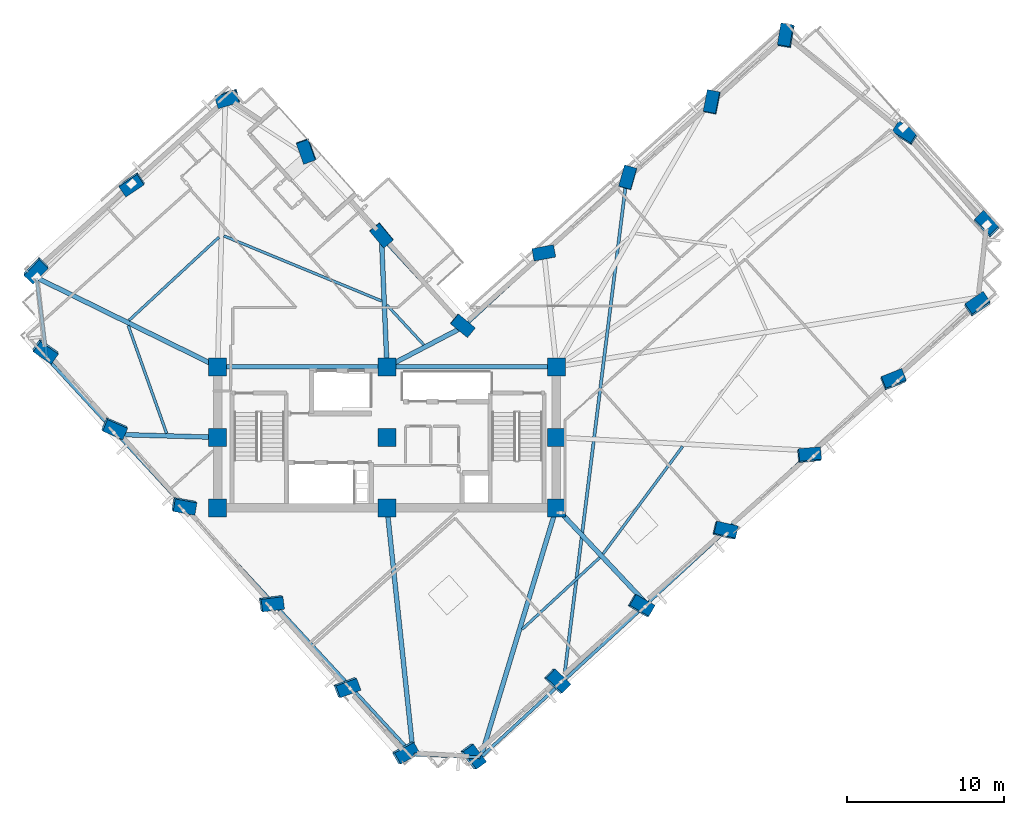
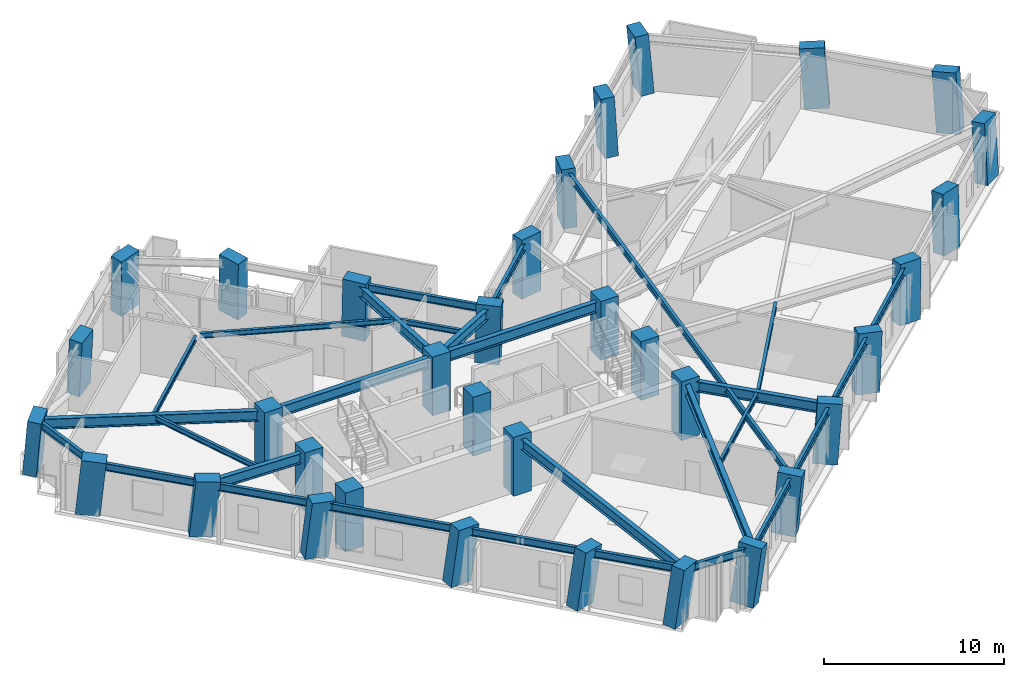
# One storey, part 1 of 14: 34 columns, 29 beams.
"""IFC4 building model written with IfcOpenShell, lengths in metres."""

from ifc_helpers import new_model, si_unit, direction, frame, origin, origin_2d, place, context, subcontext, project, spatial, rectangle, i_section, extrude, material, material_profile, profile_set, type_object, element, save


model = new_model("IFC4")

# Units and contexts
model_context = context("Model", 3, precision=1e-05, world=origin(), true_north=direction((0.0, 1.0)))
body_context = subcontext(model_context, "Body", "Model", "MODEL_VIEW")
ifc_project = project(units=[si_unit("LENGTHUNIT", "METRE"), si_unit("AREAUNIT", "SQUARE_METRE"), si_unit("VOLUMEUNIT", "CUBIC_METRE"), si_unit("PLANEANGLEUNIT", "RADIAN"), si_unit("MASSUNIT", "GRAM", prefix="KILO")], contexts=[model_context])

# Site, building, storey
site_placement = place(None, origin())
site = spatial("IfcSite", under=ifc_project, at=site_placement, CompositionType="ELEMENT")
building_placement = place(site_placement, origin())
building = spatial("IfcBuilding", under=site, at=building_placement, Name="Gaonmaruhae Medical Tower", CompositionType="ELEMENT")
storey_placement = place(building_placement, frame((0.0, 0.0, 201.800048828125)))
storey = spatial("IfcBuildingStorey", under=building, at=storey_placement, Name="L48", CompositionType="ELEMENT", Elevation=201.800048828125)

# Columns
ifc_material_1 = material(Name="Concrete C50/60", Category="concrete")
ifc_material_profile_1 = material_profile(ifc_material_1, rectangle(XDim=1.14990234375, YDim=1.14990234375, at=origin_2d()), Name="RC-1150x1150")
ifc_profile_set_1 = profile_set([ifc_material_profile_1], Name="Concrete C50/60")
column_type_1 = type_object("IfcColumnType", Name="CC-04 Zone 3 Core Column (RC-1150x1150)", PredefinedType="COLUMN", material=ifc_profile_set_1)
for number, where, z_axis, x_axis, name in (
    (1, (14.0, 7.800048828125, 0.0), (0.0, 0.0, 1.0), (1.0, 0.0, 0.0), "L48 Plumb Core Column CC11"),
    (2, (14.0, 12.300048828125, 0.0), (0.0, 0.0, 1.0), (1.0, 0.0, 0.0), "L48 Plumb Core Column CC12"),
    (3, (14.0, 16.800048828125, 0.0), (0.0, 0.0, 1.0), (1.0, 0.0, 0.0), "L48 Plumb Core Column CC13"),
    (4, (24.800048828125, 7.800048828125, 0.0), (0.0, 0.0, 1.0), (1.0, 0.0, 0.0), "L48 Plumb Core Column CC21"),
    (5, (24.800048828125, 12.300048828125, 0.0), (0.0, 0.0, 1.0), (1.0, 0.0, 0.0), "L48 Plumb Core Column CC22"),
    (6, (24.800048828125, 16.800048828125, 0.0), (0.0, 0.0, 1.0), (1.0, 0.0, 0.0), "L48 Plumb Core Column CC23"),
    (7, (35.60009765625, 7.800048828125, 0.0), (0.0, 0.0, 1.0), (1.0, 0.0, 0.0), "L48 Plumb Core Column CC31"),
    (8, (35.60009765625, 12.300048828125, 0.0), (0.0, 0.0, 1.0), (1.0, 0.0, 0.0), "L48 Plumb Core Column CC32"),
    (9, (35.60009765625, 16.800048828125, 0.0), (0.0, 0.0, 1.0), (1.0, 0.0, 0.0), "L48 Plumb Core Column CC33"),
):
    element("IfcColumn", number, at=place(storey_placement, frame(where, z_axis=z_axis, x_axis=x_axis)), inside=storey, type_object=column_type_1, Name=name, PredefinedType="COLUMN", context=body_context, shape_type="SweptSolid", body=[
        extrude(rectangle(XDim=1.14990234375, YDim=1.14990234375, at=origin_2d()), origin(), (0.0, 0.0, 1.0), 4.0),
    ])
ifc_material_2 = material(Name="Concrete C60/75", Category="concrete")
ifc_material_profile_2 = material_profile(ifc_material_2, rectangle(XDim=1.39990234375, YDim=0.800048828125, at=origin_2d()), Name="RC-1400x800")
ifc_profile_set_2 = profile_set([ifc_material_profile_2], Name="Concrete C60/75")
column_type_2 = type_object("IfcColumnType", Name="TC-02 Mid Raking Tube Pier Column (RC-1400x800)", PredefinedType="COLUMN", material=ifc_profile_set_2)
column_1_placement = place(storey_placement, frame((30.240966796875, -8.05029296875, 0.001708984375), z_axis=(0.135046878909, -0.012678123929, 0.990758096445), x_axis=(-0.587803006179, 0.803936473515, 0.090408918142)))
element("IfcColumn", 10, at=column_1_placement, inside=storey, type_object=column_type_2, Name="L48 Perimeter Tube Column S01", PredefinedType="COLUMN", context=body_context, shape_type="SweptSolid", body=[
    extrude(rectangle(XDim=1.39990234375, YDim=0.800048828125, at=origin_2d()), origin(), (0.0, 0.0, 1.0), 3.928466796875),
])
column_2_placement = place(storey_placement, frame((35.6083984375, -3.251220703125, 0.001708984375), z_axis=(0.115438955532, 0.009247529234, 0.993271529215), x_axis=(-0.719461187458, 0.690229858338, 0.077190299911)))
element("IfcColumn", 11, at=column_2_placement, inside=storey, type_object=column_type_2, Name="L48 Perimeter Tube Column S02", PredefinedType="COLUMN", context=body_context, shape_type="SweptSolid", body=[
    extrude(rectangle(XDim=1.39990234375, YDim=0.800048828125, at=origin_2d()), origin(), (0.0, 0.0, 1.0), 3.93359375),
])
column_3_placement = place(storey_placement, frame((40.975830078125, 1.5478515625, 0.001708984375), z_axis=(0.095643247872, 0.031240568326, 0.994925321834), x_axis=(-0.861839188947, 0.502728200991, 0.067063912233)))
element("IfcColumn", 12, at=column_3_placement, inside=storey, type_object=column_type_2, Name="L48 Perimeter Tube Column S03", PredefinedType="COLUMN", context=body_context, shape_type="SweptSolid", body=[
    extrude(rectangle(XDim=1.39990234375, YDim=0.800048828125, at=origin_2d()), origin(), (0.0, 0.0, 1.0), 3.938720703125),
])
column_4_placement = place(storey_placement, frame((46.34326171875, 6.346923828125, 0.001708984375), z_axis=(0.075683001487, 0.053262996137, 0.995708359174), x_axis=(-0.971780935986, 0.227676829766, 0.061685278981)))
element("IfcColumn", 13, at=column_4_placement, inside=storey, type_object=column_type_2, Name="L48 Perimeter Tube Column S04", PredefinedType="COLUMN", context=body_context, shape_type="SweptSolid", body=[
    extrude(rectangle(XDim=1.39990234375, YDim=0.800048828125, at=origin_2d()), origin(), (0.0, 0.0, 1.0), 3.94189453125),
])
column_5_placement = place(storey_placement, frame((51.71044921875, 11.14599609375, 0.001708984375), z_axis=(0.055748651808, 0.075198736995, 0.995608978352), x_axis=(-0.994064185583, -0.089125763404, 0.06239385577)))
element("IfcColumn", 14, at=column_5_placement, inside=storey, type_object=column_type_2, Name="L48 Perimeter Tube Column S05", PredefinedType="COLUMN", context=body_context, shape_type="SweptSolid", body=[
    extrude(rectangle(XDim=1.39990234375, YDim=0.800048828125, at=origin_2d()), origin(), (0.0, 0.0, 1.0), 3.94140625),
])
column_6_placement = place(storey_placement, frame((57.077880859375, 15.945068359375, 0.001708984375), z_axis=(0.035710881286, 0.097088958495, 0.994634841083), x_axis=(-0.928505606296, -0.364860270306, 0.068951593376)))
element("IfcColumn", 15, at=column_6_placement, inside=storey, type_object=column_type_2, Name="L48 Perimeter Tube Column S06", PredefinedType="COLUMN", context=body_context, shape_type="SweptSolid", body=[
    extrude(rectangle(XDim=1.39990234375, YDim=0.800048828125, at=origin_2d()), origin(), (0.0, 0.0, 1.0), 3.93798828125),
])
column_7_placement = place(storey_placement, frame((62.4453125, 20.744140625, 0.001708984375), z_axis=(0.015707334177, 0.118829397689, 0.992790438057), x_axis=(-0.825762803274, -0.55833051582, 0.07989260187)))
element("IfcColumn", 16, at=column_7_placement, inside=storey, type_object=column_type_2, Name="L48 Perimeter Tube Column S07", PredefinedType="COLUMN", context=body_context, shape_type="SweptSolid", body=[
    extrude(rectangle(XDim=1.39990234375, YDim=0.800048828125, at=origin_2d()), origin(), (0.0, 0.0, 1.0), 3.932373046875),
])
column_8_placement = place(storey_placement, frame((63.049072265625, 25.844970703125, 0.001708984375), z_axis=(-0.005281577236, 0.121103459221, 0.992625839431), x_axis=(0.698140881378, -0.71023473531, 0.090365538281)))
element("IfcColumn", 17, at=column_8_placement, inside=storey, type_object=column_type_2, Name="L48 Perimeter Tube Column E01", PredefinedType="COLUMN", context=body_context, shape_type="SweptSolid", body=[
    extrude(rectangle(XDim=1.39990234375, YDim=0.800048828125, at=origin_2d()), origin(), (0.0, 0.0, 1.0), 3.92919921875),
])
column_9_placement = place(storey_placement, frame((57.85009765625, 31.65966796875, 0.001708984375), z_axis=(-0.029097597923, 0.099701151094, 0.994591881259), x_axis=(0.847563422999, -0.525015754062, 0.077425460805)))
element("IfcColumn", 18, at=column_9_placement, inside=storey, type_object=column_type_2, Name="L48 Perimeter Tube Column E02", PredefinedType="COLUMN", context=body_context, shape_type="SweptSolid", body=[
    extrude(rectangle(XDim=1.39990234375, YDim=0.800048828125, at=origin_2d()), origin(), (0.0, 0.0, 1.0), 3.93505859375),
])
column_10_placement = place(storey_placement, frame((50.2666015625, 37.890869140625, 0.001708984375), z_axis=(-0.054661231056, 0.068403918818, 0.996159150794), x_axis=(-0.167881968928, -0.984077987012, 0.058362316498)))
element("IfcColumn", 19, at=column_10_placement, inside=storey, type_object=column_type_2, Name="L48 Perimeter Tube Column E03", PredefinedType="COLUMN", context=body_context, shape_type="SweptSolid", body=[
    extrude(rectangle(XDim=1.39990234375, YDim=0.800048828125, at=origin_2d()), origin(), (0.0, 0.0, 1.0), 3.94384765625),
])
column_11_placement = place(storey_placement, frame((45.53271484375, 33.658447265625, 0.001708984375), z_axis=(-0.037026435921, 0.049060027595, 0.998109290977), x_axis=(-0.19426625629, -0.980092983401, 0.040967860024)))
element("IfcColumn", 20, at=column_11_placement, inside=storey, type_object=column_type_2, Name="L48 Perimeter Tube Column EN01", PredefinedType="COLUMN", context=body_context, shape_type="SweptSolid", body=[
    extrude(rectangle(XDim=1.39990234375, YDim=0.800048828125, at=origin_2d()), origin(), (0.0, 0.0, 1.0), 3.956298828125),
])
column_12_placement = place(storey_placement, frame((40.165283203125, 28.859375, 0.001708984375), z_axis=(-0.017020693495, 0.027036480641, 0.999489532065), x_axis=(-0.275948140466, -0.960936612332, 0.021294385498)))
element("IfcColumn", 21, at=column_12_placement, inside=storey, type_object=column_type_2, Name="L48 Perimeter Tube Column EN02", PredefinedType="COLUMN", context=body_context, shape_type="SweptSolid", body=[
    extrude(rectangle(XDim=1.39990234375, YDim=0.800048828125, at=origin_2d()), origin(), (0.0, 0.0, 1.0), 3.97314453125),
])
column_13_placement = place(storey_placement, frame((34.798095703125, 24.060302734375, 0.001708984375), z_axis=(0.002997258286, 0.004954651452, 0.999983233795), x_axis=(-0.982837456403, -0.184433286373, 0.003859685072)))
element("IfcColumn", 22, at=column_13_placement, inside=storey, type_object=column_type_2, Name="L48 Perimeter Tube Column EN03", PredefinedType="COLUMN", context=body_context, shape_type="SweptSolid", body=[
    extrude(rectangle(XDim=1.39990234375, YDim=0.800048828125, at=origin_2d()), origin(), (0.0, 0.0, 1.0), 3.9912109375),
])
column_14_placement = place(storey_placement, frame((29.616943359375, 19.427734375, 0.001708984375), z_axis=(0.022404649065, -0.016327771648, 0.999615643922), x_axis=(-0.773714259991, 0.632929754663, 0.027679767862)))
element("IfcColumn", 23, at=column_14_placement, inside=storey, type_object=column_type_2, Name="L48 Perimeter Tube Column KN01", PredefinedType="COLUMN", context=body_context, shape_type="SweptSolid", body=[
    extrude(rectangle(XDim=1.39990234375, YDim=0.800048828125, at=origin_2d()), origin(), (0.0, 0.0, 1.0), 3.977294921875),
])
column_15_placement = place(storey_placement, frame((24.451416015625, 25.205078125, 0.001708984375), z_axis=(-0.001414889016, -0.037894418868, 0.999280746891), x_axis=(-0.63827340517, 0.769290530465, 0.028269064174)))
element("IfcColumn", 24, at=column_15_placement, inside=storey, type_object=column_type_2, Name="L48 Perimeter Tube Column NE01", PredefinedType="COLUMN", context=body_context, shape_type="SweptSolid", body=[
    extrude(rectangle(XDim=1.39990234375, YDim=0.800048828125, at=origin_2d()), origin(), (0.0, 0.0, 1.0), 3.96875),
])
column_16_placement = place(storey_placement, frame((19.65234375, 30.572509765625, 0.001708984375), z_axis=(-0.023400018173, -0.057851759968, 0.998050907027), x_axis=(-0.338913817556, 0.939666525529, 0.046521447421)))
element("IfcColumn", 25, at=column_16_placement, inside=storey, type_object=column_type_2, Name="L48 Perimeter Tube Column NE02", PredefinedType="COLUMN", context=body_context, shape_type="SweptSolid", body=[
    extrude(rectangle(XDim=1.39990234375, YDim=0.800048828125, at=origin_2d()), origin(), (0.0, 0.0, 1.0), 3.954345703125),
])
column_17_placement = place(storey_placement, frame((14.634765625, 33.933837890625, 0.001708984375), z_axis=(-0.037077983422, -0.078612752832, 0.996215467777), x_axis=(0.957500793087, 0.282552508139, 0.057933680899)))
element("IfcColumn", 26, at=column_17_placement, inside=storey, type_object=column_type_2, Name="L48 Perimeter Tube Column N01", PredefinedType="COLUMN", context=body_context, shape_type="SweptSolid", body=[
    extrude(rectangle(XDim=1.39990234375, YDim=0.800048828125, at=origin_2d()), origin(), (0.0, 0.0, 1.0), 3.944091796875),
])
column_18_placement = place(storey_placement, frame((8.52197265625, 28.46826171875, 0.001708984375), z_axis=(-0.014261490133, -0.103550819662, 0.994521914111), x_axis=(0.828946191978, 0.554972155566, 0.069671495975)))
element("IfcColumn", 27, at=column_18_placement, inside=storey, type_object=column_type_2, Name="L48 Perimeter Tube Column N02", PredefinedType="COLUMN", context=body_context, shape_type="SweptSolid", body=[
    extrude(rectangle(XDim=1.39990234375, YDim=0.800048828125, at=origin_2d()), origin(), (0.0, 0.0, 1.0), 3.937255859375),
])
column_19_placement = place(storey_placement, frame((2.4091796875, 23.00244140625, 0.001708984375), z_axis=(0.008448677757, -0.12809686423, 0.991725674377), x_axis=(0.700356684068, 0.70864584674, 0.085566225692)))
element("IfcColumn", 28, at=column_19_placement, inside=storey, type_object=column_type_2, Name="L48 Perimeter Tube Column N03", PredefinedType="COLUMN", context=body_context, shape_type="SweptSolid", body=[
    extrude(rectangle(XDim=1.39990234375, YDim=0.800048828125, at=origin_2d()), origin(), (0.0, 0.0, 1.0), 3.929931640625),
])
column_20_placement = place(storey_placement, frame((3.00537109375, 17.834716796875, 0.001708984375), z_axis=(0.029718269522, -0.12552549407, 0.991645185939), x_axis=(-0.81891246966, 0.565804774334, 0.096163009397)))
element("IfcColumn", 29, at=column_20_placement, inside=storey, type_object=column_type_2, Name="L48 Perimeter Tube Column W01", PredefinedType="COLUMN", context=body_context, shape_type="SweptSolid", body=[
    extrude(rectangle(XDim=1.39990234375, YDim=0.800048828125, at=origin_2d()), origin(), (0.0, 0.0, 1.0), 3.9267578125),
])
column_21_placement = place(storey_placement, frame((7.404541015625, 12.91455078125, 0.001708984375), z_axis=(0.049822228101, -0.107409766069, 0.992965703204), x_axis=(-0.916131526113, 0.391039797202, 0.088266096928)))
element("IfcColumn", 30, at=column_21_placement, inside=storey, type_object=column_type_2, Name="L48 Perimeter Tube Column W02", PredefinedType="COLUMN", context=body_context, shape_type="SweptSolid", body=[
    extrude(rectangle(XDim=1.39990234375, YDim=0.800048828125, at=origin_2d()), origin(), (0.0, 0.0, 1.0), 3.929931640625),
])
column_22_placement = place(storey_placement, frame((11.837158203125, 7.957275390625, 0.001708984375), z_axis=(0.070103537443, -0.089042048444, 0.993557752547), x_axis=(-0.98187826261, 0.169640160093, 0.084482504097)))
element("IfcColumn", 31, at=column_22_placement, inside=storey, type_object=column_type_2, Name="L48 Perimeter Tube Column W03", PredefinedType="COLUMN", context=body_context, shape_type="SweptSolid", body=[
    extrude(rectangle(XDim=1.39990234375, YDim=0.800048828125, at=origin_2d()), origin(), (0.0, 0.0, 1.0), 3.931884765625),
])
column_23_placement = place(storey_placement, frame((17.402587890625, 1.732421875, 0.001708984375), z_axis=(0.095523301765, -0.065897414287, 0.993243590269), x_axis=(-0.987969051295, -0.128191196802, 0.086511101869)))
element("IfcColumn", 32, at=column_23_placement, inside=storey, type_object=column_type_2, Name="L48 Perimeter Tube Column W04", PredefinedType="COLUMN", context=body_context, shape_type="SweptSolid", body=[
    extrude(rectangle(XDim=1.39990234375, YDim=0.800048828125, at=origin_2d()), origin(), (0.0, 0.0, 1.0), 3.930908203125),
])
column_24_placement = place(storey_placement, frame((22.20166015625, -3.634765625, 0.001708984375), z_axis=(0.117352618249, -0.045934102164, 0.992027429686), x_axis=(-0.931603493777, -0.351125319074, 0.093946477785)))
element("IfcColumn", 33, at=column_24_placement, inside=storey, type_object=column_type_2, Name="L48 Perimeter Tube Column W05", PredefinedType="COLUMN", context=body_context, shape_type="SweptSolid", body=[
    extrude(rectangle(XDim=1.39990234375, YDim=0.800048828125, at=origin_2d()), origin(), (0.0, 0.0, 1.0), 3.927734375),
])
column_25_placement = place(storey_placement, frame((25.934326171875, -7.8095703125, 0.001708984375), z_axis=(0.134123657922, -0.03035823055, 0.990499481183), x_axis=(-0.867320120298, -0.487079498577, 0.102515223217)))
element("IfcColumn", 34, at=column_25_placement, inside=storey, type_object=column_type_2, Name="L48 Perimeter Tube Column W06", PredefinedType="COLUMN", context=body_context, shape_type="SweptSolid", body=[
    extrude(rectangle(XDim=1.39990234375, YDim=0.800048828125, at=origin_2d()), origin(), (0.0, 0.0, 1.0), 3.924560546875),
])

# Beams
ifc_material_3 = material(Name="Steel SM355", Category="steel")
ifc_material_profile_3 = material_profile(ifc_material_3, i_section(OverallWidth=0.175048828125, OverallDepth=0.35009765625, WebThickness=0.007080078125, FlangeThickness=0.010986328125, FilletRadius=0.012939453125, at=origin_2d()), Name="H-350x175x7x11")
ifc_profile_set_3 = profile_set([ifc_material_profile_3], Name="Steel SM355")
beam_type_1 = type_object("IfcBeamType", Name="FJ-02 Upper Zone Ward Floor Joist (H-350x175x7x11)", PredefinedType="JOIST", material=ifc_profile_set_3)
beam_1_placement = place(storey_placement, frame((33.4150390625, 0.054443359375, 3.52490234375), z_axis=(0.734302039307, 0.678822889323, 0.0), x_axis=(-0.678822889323, 0.734302039307, 0.0)))
element("IfcBeam", 35, at=beam_1_placement, inside=storey, type_object=beam_type_1, Name="L48 Secondary Floor Joist FJ01", PredefinedType="JOIST", context=body_context, shape_type="SweptSolid", body=[
    extrude(i_section(OverallWidth=0.175048828125, OverallDepth=0.35009765625, WebThickness=0.007080078125, FlangeThickness=0.010986328125, FilletRadius=0.012939453125, at=origin_2d()), origin(), (0.0, 0.0, 1.0), 6.74169921875),
])
beam_2_placement = place(storey_placement, frame((38.57421875, 4.864013671875, 3.52490234375), z_axis=(0.595254220037, 0.80353743754, 0.0), x_axis=(-0.80353743754, 0.595254220037, 0.0)))
element("IfcBeam", 36, at=beam_2_placement, inside=storey, type_object=beam_type_1, Name="L48 Secondary Floor Joist FJ02", PredefinedType="JOIST", context=body_context, shape_type="SweptSolid", body=[
    extrude(i_section(OverallWidth=0.175048828125, OverallDepth=0.35009765625, WebThickness=0.007080078125, FlangeThickness=0.010986328125, FilletRadius=0.012939453125, at=origin_2d()), origin(), (0.0, 0.0, 1.0), 8.5380859375),
])
beam_3_placement = place(storey_placement, frame((27.143798828125, 18.19970703125, 3.52490234375), z_axis=(-0.678816721668, 0.734307740926, 0.0), x_axis=(-0.734307740926, -0.678816721668, 0.0)))
element("IfcBeam", 37, at=beam_3_placement, inside=storey, type_object=beam_type_1, Name="L48 Secondary Floor Joist FJ08", PredefinedType="JOIST", context=body_context, shape_type="SweptSolid", body=[
    extrude(i_section(OverallWidth=0.175048828125, OverallDepth=0.35009765625, WebThickness=0.007080078125, FlangeThickness=0.010986328125, FilletRadius=0.012939453125, at=origin_2d()), origin(), (0.0, 0.0, 1.0), 3.475830078125),
])
beam_4_placement = place(storey_placement, frame((24.464599609375, 20.9921875, 3.52490234375), z_axis=(-0.924420227244, 0.381375462585, 0.0), x_axis=(-0.381375462585, -0.924420227244, 0.0)))
element("IfcBeam", 38, at=beam_4_placement, inside=storey, type_object=beam_type_1, Name="L48 Secondary Floor Joist FJ09", PredefinedType="JOIST", context=body_context, shape_type="SweptSolid", body=[
    extrude(i_section(OverallWidth=0.175048828125, OverallDepth=0.35009765625, WebThickness=0.007080078125, FlangeThickness=0.010986328125, FilletRadius=0.012939453125, at=origin_2d()), origin(), (0.0, 0.0, 1.0), 10.89111328125),
])
beam_5_placement = place(storey_placement, frame((14.08447265625, 25.0625, 3.52490234375), z_axis=(-0.734325523706, -0.6787974847, 0.0), x_axis=(0.6787974847, -0.734325523706, 0.0)))
element("IfcBeam", 39, at=beam_5_placement, inside=storey, type_object=beam_type_1, Name="L48 Secondary Floor Joist FJ10", PredefinedType="JOIST", context=body_context, shape_type="SweptSolid", body=[
    extrude(i_section(OverallWidth=0.175048828125, OverallDepth=0.35009765625, WebThickness=0.007080078125, FlangeThickness=0.010986328125, FilletRadius=0.012939453125, at=origin_2d()), origin(), (0.0, 0.0, 1.0), 7.8173828125),
])
beam_6_placement = place(storey_placement, frame((8.295654296875, 19.4345703125, 3.52490234375), z_axis=(0.335312103948, -0.942107102694, 0.0), x_axis=(0.942107102694, 0.335312103948, 0.0)))
element("IfcBeam", 40, at=beam_6_placement, inside=storey, type_object=beam_type_1, Name="L48 Secondary Floor Joist FJ11", PredefinedType="JOIST", context=body_context, shape_type="SweptSolid", body=[
    extrude(i_section(OverallWidth=0.175048828125, OverallDepth=0.35009765625, WebThickness=0.007080078125, FlangeThickness=0.010986328125, FilletRadius=0.012939453125, at=origin_2d()), origin(), (0.0, 0.0, 1.0), 7.309326171875),
])
ifc_material_4 = material(Name="Steel SM420", Category="steel")
ifc_material_profile_4 = material_profile(ifc_material_4, i_section(OverallWidth=0.300048828125, OverallDepth=0.699951171875, WebThickness=0.012939453125, FlangeThickness=0.02392578125, FilletRadius=0.01806640625, at=origin_2d()), Name="H-700x300x13x24")
ifc_profile_set_4 = profile_set([ifc_material_profile_4], Name="Steel SM420")
beam_type_2 = type_object("IfcBeamType", Name="PG-03 Zone 3 Radial Floor Girder (H-700x300x13x24)", PredefinedType="BEAM", material=ifc_profile_set_4)
for number, where, z_axis, x_axis, name in (
    (41, (14.050048828125, 16.800048828125, 3.349853515625), (1.0, 0.0, 0.0), (0.0, 1.0, 0.0), "L48 Beam BM-L48-CG-N1"),
    (42, (24.85009765625, 16.800048828125, 3.349853515625), (1.0, 0.0, 0.0), (0.0, 1.0, 0.0), "L48 Beam BM-L48-CG-N2"),
):
    element("IfcBeam", number, at=place(storey_placement, frame(where, z_axis=z_axis, x_axis=x_axis)), inside=storey, type_object=beam_type_2, Name=name, PredefinedType="BEAM", context=body_context, shape_type="SweptSolid", body=[
        extrude(i_section(OverallWidth=0.300048828125, OverallDepth=0.699951171875, WebThickness=0.012939453125, FlangeThickness=0.02392578125, FilletRadius=0.01806640625, at=origin_2d()), origin(), (0.0, 0.0, 1.0), 10.699951171875),
    ])
beam_7_placement = place(storey_placement, frame((35.58544921875, 7.752197265625, 3.349853515625), z_axis=(-0.289761197341, -0.957098975298, 0.0), x_axis=(0.957098975298, -0.289761197341, 0.0)))
element("IfcBeam", 43, at=beam_7_placement, inside=storey, type_object=beam_type_2, Name="L48 Radial Primary Girder S01", PredefinedType="BEAM", context=body_context, shape_type="SweptSolid", body=[
    extrude(i_section(OverallWidth=0.300048828125, OverallDepth=0.699951171875, WebThickness=0.012939453125, FlangeThickness=0.02392578125, FilletRadius=0.01806640625, at=origin_2d()), origin(), (0.0, 0.0, 1.0), 16.51416015625),
])
beam_8_placement = place(storey_placement, frame((35.63427734375, 7.763671875, 3.349853515625), z_axis=(0.684969592969, -0.728571655164, 0.0), x_axis=(0.728571655164, 0.684969592969, 0.0)))
element("IfcBeam", 44, at=beam_8_placement, inside=storey, type_object=beam_type_2, Name="L48 Radial Primary Girder S03", PredefinedType="BEAM", context=body_context, shape_type="SweptSolid", body=[
    extrude(i_section(OverallWidth=0.300048828125, OverallDepth=0.699951171875, WebThickness=0.012939453125, FlangeThickness=0.02392578125, FilletRadius=0.01806640625, at=origin_2d()), origin(), (0.0, 0.0, 1.0), 8.309326171875),
])
beam_9_placement = place(storey_placement, frame((24.84423828125, 16.8232421875, 3.349853515625), z_axis=(0.886410192644, 0.462900605289, 0.0), x_axis=(-0.462900605289, 0.886410192644, 0.0)))
element("IfcBeam", 45, at=beam_9_placement, inside=storey, type_object=beam_type_2, Name="L48 Radial Primary Girder KN01", PredefinedType="BEAM", context=body_context, shape_type="SweptSolid", body=[
    extrude(i_section(OverallWidth=0.300048828125, OverallDepth=0.699951171875, WebThickness=0.012939453125, FlangeThickness=0.02392578125, FilletRadius=0.01806640625, at=origin_2d()), origin(), (0.0, 0.0, 1.0), 5.435546875),
])
beam_10_placement = place(storey_placement, frame((24.7978515625, 16.849853515625, 3.349853515625), z_axis=(-0.042867319872, 0.999080773955, 0.0), x_axis=(-0.999080773955, -0.042867319872, 0.0)))
element("IfcBeam", 46, at=beam_10_placement, inside=storey, type_object=beam_type_2, Name="L48 Radial Primary Girder NE01", PredefinedType="BEAM", context=body_context, shape_type="SweptSolid", body=[
    extrude(i_section(OverallWidth=0.300048828125, OverallDepth=0.699951171875, WebThickness=0.012939453125, FlangeThickness=0.02392578125, FilletRadius=0.01806640625, at=origin_2d()), origin(), (0.0, 0.0, 1.0), 8.161376953125),
])
beam_11_placement = place(storey_placement, frame((13.955078125, 16.822021484375, 3.349853515625), z_axis=(-0.897278145118, 0.441465661511, 0.0), x_axis=(-0.441465661511, -0.897278145118, 0.0)))
element("IfcBeam", 47, at=beam_11_placement, inside=storey, type_object=beam_type_2, Name="L48 Radial Primary Girder N03", PredefinedType="BEAM", context=body_context, shape_type="SweptSolid", body=[
    extrude(i_section(OverallWidth=0.300048828125, OverallDepth=0.699951171875, WebThickness=0.012939453125, FlangeThickness=0.02392578125, FilletRadius=0.01806640625, at=origin_2d()), origin(), (0.0, 0.0, 1.0), 12.77978515625),
])
beam_12_placement = place(storey_placement, frame((13.949951171875, 12.301513671875, 3.349853515625), z_axis=(-0.999595053474, 0.028455738801, 0.0), x_axis=(-0.028455738801, -0.999595053474, 0.0)))
element("IfcBeam", 48, at=beam_12_placement, inside=storey, type_object=beam_type_2, Name="L48 Radial Primary Girder W02", PredefinedType="BEAM", context=body_context, shape_type="SweptSolid", body=[
    extrude(i_section(OverallWidth=0.300048828125, OverallDepth=0.699951171875, WebThickness=0.012939453125, FlangeThickness=0.02392578125, FilletRadius=0.01806640625, at=origin_2d()), origin(), (0.0, 0.0, 1.0), 6.29736328125),
])
beam_13_placement = place(storey_placement, frame((24.80517578125, 7.750244140625, 3.349853515625), z_axis=(0.105927196046, -0.994373888001, 0.0), x_axis=(0.994373888001, 0.105927196046, 0.0)))
element("IfcBeam", 49, at=beam_13_placement, inside=storey, type_object=beam_type_2, Name="L48 Radial Primary Girder W06", PredefinedType="BEAM", context=body_context, shape_type="SweptSolid", body=[
    extrude(i_section(OverallWidth=0.300048828125, OverallDepth=0.699951171875, WebThickness=0.012939453125, FlangeThickness=0.02392578125, FilletRadius=0.01806640625, at=origin_2d()), origin(), (0.0, 0.0, 1.0), 15.720947265625),
])
ifc_material_profile_5 = material_profile(ifc_material_3, i_section(OverallWidth=0.199951171875, OverallDepth=0.5, WebThickness=0.010009765625, FlangeThickness=0.01611328125, FilletRadius=0.012939453125, at=origin_2d()), Name="H-500x200x10x16")
ifc_profile_set_5 = profile_set([ifc_material_profile_5], Name="Steel SM355")
beam_type_3 = type_object("IfcBeamType", Name="SP-02 Upper Perimeter Spandrel Beam (H-500x200x10x16)", PredefinedType="SPANDREL", material=ifc_profile_set_5)
for number, where, z_axis, x_axis, name in (
    (50, (30.815185546875, -8.07421875, 3.449951171875), (0.734335272861, 0.678786937876, 0.0), (-0.678786937876, 0.734335272861, 0.0), "L48 Perimeter Spandrel Beam S01-S02"),
    (51, (36.102294921875, -3.18701171875, 3.449951171875), (0.73431818138, 0.678805427567, 0.0), (-0.678805427567, 0.73431818138, 0.0), "L48 Perimeter Spandrel Beam S02-S03"),
    (52, (41.389404296875, 1.700439453125, 3.449951171875), (0.734335272861, 0.678786937876, 0.0), (-0.678786937876, 0.734335272861, 0.0), "L48 Perimeter Spandrel Beam S03-S04"),
    (53, (46.676513671875, 6.587890625, 3.449951171875), (0.734335272861, 0.678786937876, 0.0), (-0.678786937876, 0.734335272861, 0.0), "L48 Perimeter Spandrel Beam S04-S05"),
):
    element("IfcBeam", number, at=place(storey_placement, frame(where, z_axis=z_axis, x_axis=x_axis)), inside=storey, type_object=beam_type_3, Name=name, PredefinedType="SPANDREL", context=body_context, shape_type="SweptSolid", body=[
        extrude(i_section(OverallWidth=0.199951171875, OverallDepth=0.5, WebThickness=0.010009765625, FlangeThickness=0.01611328125, FilletRadius=0.012939453125, at=origin_2d()), origin(), (0.0, 0.0, 1.0), 7.1201171875),
    ])
beam_14_placement = place(storey_placement, frame((34.78076171875, 24.052978515625, 3.449951171875), z_axis=(-0.734333228218, -0.678789149835, 0.0), x_axis=(0.678789149835, -0.734333228218, 0.0)))
element("IfcBeam", 54, at=beam_14_placement, inside=storey, type_object=beam_type_3, Name="L48 Perimeter Spandrel Beam EN03-KN01", PredefinedType="SPANDREL", context=body_context, shape_type="SweptSolid", body=[
    extrude(i_section(OverallWidth=0.199951171875, OverallDepth=0.5, WebThickness=0.010009765625, FlangeThickness=0.01611328125, FilletRadius=0.012939453125, at=origin_2d()), origin(), (0.0, 0.0, 1.0), 6.8701171875),
])
beam_15_placement = place(storey_placement, frame((29.679443359375, 19.391845703125, 3.449951171875), z_axis=(-0.67880608955, 0.734317569441, 0.0), x_axis=(-0.734317569441, -0.67880608955, 0.0)))
element("IfcBeam", 55, at=beam_15_placement, inside=storey, type_object=beam_type_3, Name="L48 Perimeter Spandrel Beam KN01-NE01", PredefinedType="SPANDREL", context=body_context, shape_type="SweptSolid", body=[
    extrude(i_section(OverallWidth=0.199951171875, OverallDepth=0.5, WebThickness=0.010009765625, FlangeThickness=0.01611328125, FilletRadius=0.012939453125, at=origin_2d()), origin(), (0.0, 0.0, 1.0), 7.670166015625),
])
beam_16_placement = place(storey_placement, frame((2.448486328125, 22.4462890625, 3.449951171875), z_axis=(0.131070948278, -0.991372990613, 0.0), x_axis=(0.991372990613, 0.131070948278, 0.0)))
element("IfcBeam", 56, at=beam_16_placement, inside=storey, type_object=beam_type_3, Name="L48 Perimeter Spandrel Beam N03-W01", PredefinedType="SPANDREL", context=body_context, shape_type="SweptSolid", body=[
    extrude(i_section(OverallWidth=0.199951171875, OverallDepth=0.5, WebThickness=0.010009765625, FlangeThickness=0.01611328125, FilletRadius=0.012939453125, at=origin_2d()), origin(), (0.0, 0.0, 1.0), 5.122314453125),
])
beam_17_placement = place(storey_placement, frame((3.15234375, 17.29931640625, 3.449951171875), z_axis=(0.678796264437, -0.734326651692, 0.0), x_axis=(0.734326651692, 0.678796264437, 0.0)))
element("IfcBeam", 57, at=beam_17_placement, inside=storey, type_object=beam_type_3, Name="L48 Perimeter Spandrel Beam W01-W02", PredefinedType="SPANDREL", context=body_context, shape_type="SweptSolid", body=[
    extrude(i_section(OverallWidth=0.199951171875, OverallDepth=0.5, WebThickness=0.010009765625, FlangeThickness=0.01611328125, FilletRadius=0.012939453125, at=origin_2d()), origin(), (0.0, 0.0, 1.0), 6.52001953125),
])
beam_18_placement = place(storey_placement, frame((7.63232421875, 12.45263671875, 3.449951171875), z_axis=(0.678803139934, -0.734320296066, 0.0), x_axis=(0.734320296066, 0.678803139934, 0.0)))
element("IfcBeam", 58, at=beam_18_placement, inside=storey, type_object=beam_type_3, Name="L48 Perimeter Spandrel Beam W02-W03", PredefinedType="SPANDREL", context=body_context, shape_type="SweptSolid", body=[
    extrude(i_section(OverallWidth=0.199951171875, OverallDepth=0.5, WebThickness=0.010009765625, FlangeThickness=0.01611328125, FilletRadius=0.012939453125, at=origin_2d()), origin(), (0.0, 0.0, 1.0), 6.570068359375),
])
beam_19_placement = place(storey_placement, frame((12.146240234375, 7.569580078125, 3.449951171875), z_axis=(0.678797347267, -0.734325650746, 0.0), x_axis=(0.734325650746, 0.678797347267, 0.0)))
element("IfcBeam", 59, at=beam_19_placement, inside=storey, type_object=beam_type_3, Name="L48 Perimeter Spandrel Beam W03-W04", PredefinedType="SPANDREL", context=body_context, shape_type="SweptSolid", body=[
    extrude(i_section(OverallWidth=0.199951171875, OverallDepth=0.5, WebThickness=0.010009765625, FlangeThickness=0.01611328125, FilletRadius=0.012939453125, at=origin_2d()), origin(), (0.0, 0.0, 1.0), 8.270263671875),
])
beam_20_placement = place(storey_placement, frame((17.814208984375, 1.43798828125, 3.449951171875), z_axis=(0.678805427567, -0.73431818138, 0.0), x_axis=(0.73431818138, 0.678805427567, 0.0)))
element("IfcBeam", 60, at=beam_20_placement, inside=storey, type_object=beam_type_3, Name="L48 Perimeter Spandrel Beam W04-W05", PredefinedType="SPANDREL", context=body_context, shape_type="SweptSolid", body=[
    extrude(i_section(OverallWidth=0.199951171875, OverallDepth=0.5, WebThickness=0.010009765625, FlangeThickness=0.01611328125, FilletRadius=0.012939453125, at=origin_2d()), origin(), (0.0, 0.0, 1.0), 7.1201171875),
])
beam_21_placement = place(storey_placement, frame((22.70166015625, -3.84912109375, 3.449951171875), z_axis=(0.67880896544, -0.734314910946, 0.0), x_axis=(0.734314910946, 0.67880896544, 0.0)))
element("IfcBeam", 61, at=beam_21_placement, inside=storey, type_object=beam_type_3, Name="L48 Perimeter Spandrel Beam W05-W06", PredefinedType="SPANDREL", context=body_context, shape_type="SweptSolid", body=[
    extrude(i_section(OverallWidth=0.199951171875, OverallDepth=0.5, WebThickness=0.010009765625, FlangeThickness=0.01611328125, FilletRadius=0.012939453125, at=origin_2d()), origin(), (0.0, 0.0, 1.0), 5.52001953125),
])
beam_22_placement = place(storey_placement, frame((26.515869140625, -7.93359375, 3.449951171875), z_axis=(0.999228448782, -0.039274764725, 0.0), x_axis=(0.039274764725, 0.999228448782, 0.0)))
element("IfcBeam", 62, at=beam_22_placement, inside=storey, type_object=beam_type_3, Name="L48 Perimeter Spandrel Beam W06-S01", PredefinedType="SPANDREL", context=body_context, shape_type="SweptSolid", body=[
    extrude(i_section(OverallWidth=0.199951171875, OverallDepth=0.5, WebThickness=0.010009765625, FlangeThickness=0.01611328125, FilletRadius=0.012939453125, at=origin_2d()), origin(), (0.0, 0.0, 1.0), 4.233154296875),
])
ifc_material_profile_6 = material_profile(ifc_material_3, i_section(OverallWidth=0.199951171875, OverallDepth=0.449951171875, WebThickness=0.009033203125, FlangeThickness=0.013916015625, FilletRadius=0.012939453125, at=origin_2d()), Name="H-450x200x9x14")
ifc_profile_set_6 = profile_set([ifc_material_profile_6], Name="Steel SM355")
beam_type_4 = type_object("IfcBeamType", Name="SP-03 Ribbon Edge Spandrel Beam (H-450x200x9x14)", PredefinedType="SPANDREL", material=ifc_profile_set_6)
beam_23_placement = place(storey_placement, frame((36.12890625, -2.767578125, 3.474853515625), z_axis=(0.124082381013, 0.992271919749, 0.0), x_axis=(-0.992271919749, 0.124082381013, 0.0)))
element("IfcBeam", 63, at=beam_23_placement, inside=storey, type_object=beam_type_4, Name="L48 Ribbon Transverse Spandrel 1", PredefinedType="SPANDREL", context=body_context, shape_type="SweptSolid", body=[
    extrude(i_section(OverallWidth=0.199951171875, OverallDepth=0.449951171875, WebThickness=0.009033203125, FlangeThickness=0.013916015625, FilletRadius=0.012939453125, at=origin_2d()), origin(), (0.0, 0.0, 1.0), 31.5322265625),
])

save(model, "model.ifc")
